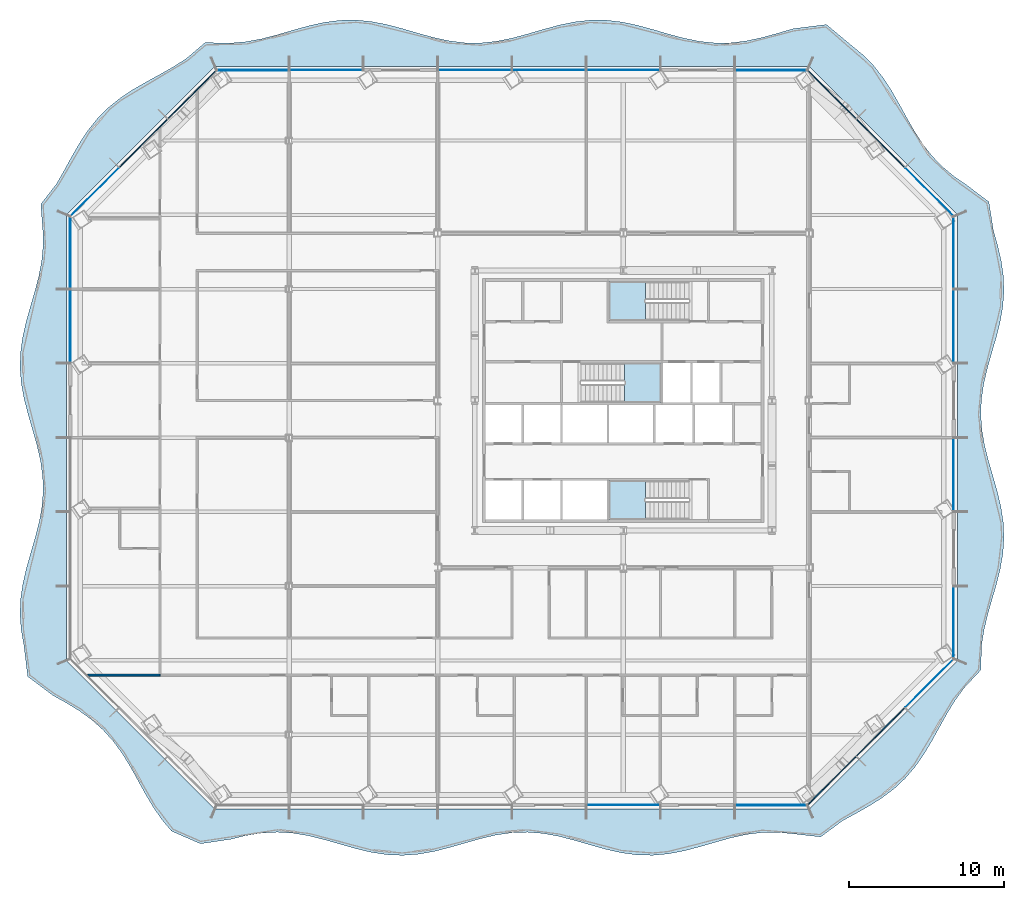
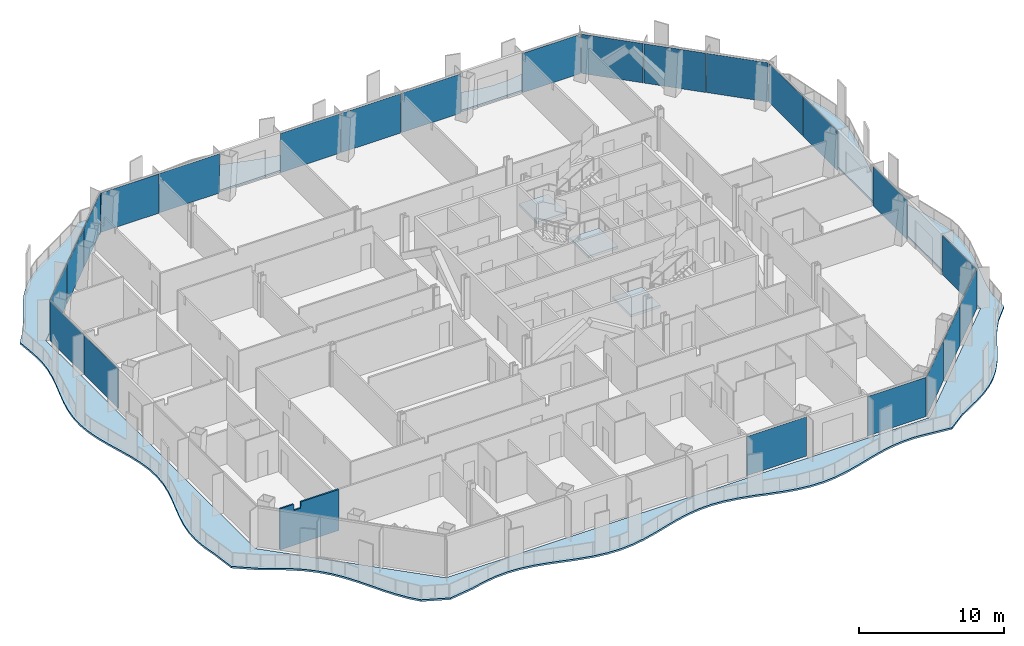
# One storey, part 5 of 20: 23 plates, 4 slabs, 1 wall, 10 elements without a shape of their own.
"""IFC4 building model written with IfcOpenShell, lengths in metres."""

from ifc_helpers import new_model, si_unit, direction, frame, origin, origin_2d, place, context, subcontext, project, spatial, polyline, rectangle, outline, extrude, material, layer, layer_set, type_object, element, aggregate, save


model = new_model("IFC4")

# Units and contexts
model_context = context("Model", 3, precision=1e-05, world=origin(), true_north=direction((0.0, 1.0)))
body_context = subcontext(model_context, "Body", "Model", "MODEL_VIEW")
ifc_project = project(units=[si_unit("LENGTHUNIT", "METRE"), si_unit("AREAUNIT", "SQUARE_METRE"), si_unit("VOLUMEUNIT", "CUBIC_METRE"), si_unit("PLANEANGLEUNIT", "RADIAN"), si_unit("MASSUNIT", "GRAM", prefix="KILO")], contexts=[model_context])

# Site, building, storey
site_placement = place(None, origin())
site = spatial("IfcSite", under=ifc_project, at=site_placement, CompositionType="ELEMENT")
building_placement = place(site_placement, origin())
building = spatial("IfcBuilding", under=site, at=building_placement, Name="Cairn Pilgrim Tower", CompositionType="ELEMENT")
storey_placement = place(building_placement, frame((0.0, 0.0, 87.0)))
storey = spatial("IfcBuildingStorey", under=building, at=storey_placement, Name="L20", CompositionType="ELEMENT", Elevation=87.0)

# Slab
ifc_material_1 = material(Name="Concrete C35/45", Category="concrete")
ifc_layer_1 = layer(ifc_material_1, 0.14990234375)
ifc_layer_set_1 = layer_set([ifc_layer_1], Name="BALCONY SLAB 150 CONCRETE C35/45")
slab_type_1 = type_object("IfcSlabType", Name="BALCONY SLAB 150 CONCRETE C35/45", PredefinedType="FLOOR", material=ifc_layer_set_1)
slab_1_placement = place(storey_placement, frame((0.0, 0.0, -0.14990234375)))
element("IfcSlab", 1, at=slab_1_placement, inside=storey, type_object=slab_type_1, Name="Balcony slab BS-1", PredefinedType="FLOOR", context=body_context, shape_type="SweptSolid", body=[
    extrude(outline(polyline([(-22.004150390625, -25.432861328125), (-20.132080078125, -26.25), (-18.189453125, -25.960205078125), (-17.178955078125, -25.71533203125), (-16.16845703125, -25.553466796875), (-15.157958984375, -25.5), (-14.1474609375, -25.563232421875), (-13.136962890625, -25.73291015625), (-12.126220703125, -25.983154296875), (-11.11572265625, -26.27490234375), (-10.105224609375, -26.5625), (-9.0947265625, -26.8017578125), (-8.084228515625, -26.955322265625), (-7.07373046875, -26.9990234375), (-6.063232421875, -26.926513671875), (-5.052734375, -26.748779296875), (-4.0419921875, -26.493408203125), (-3.031494140625, -26.200439453125), (-2.02099609375, -25.9150390625), (-1.010498046875, -25.681640625), (0.0, -25.53662109375), (1.010498046875, -25.50244140625), (2.02099609375, -25.58447265625), (3.031494140625, -25.77001953125), (4.0419921875, -26.030029296875), (5.052734375, -26.32421875), (6.063232421875, -26.60693359375), (7.07373046875, -26.834228515625), (8.084228515625, -26.970458984375), (9.0947265625, -26.994873046875), (10.105224609375, -26.903564453125), (11.11572265625, -26.710693359375), (12.126220703125, -26.446044921875), (13.136962890625, -26.151123046875), (14.1474609375, -25.871337890625), (15.157958984375, -25.650634765625), (16.16845703125, -25.52294921875), (17.178955078125, -25.50830078125), (18.189453125, -25.60888671875), (19.949462890625, -25.80908203125), (21.3466796875, -24.775390625), (22.23291015625, -24.2900390625), (23.10888671875, -23.794677734375), (23.947509765625, -23.261962890625), (24.72705078125, -22.669921875), (25.43359375, -22.005126953125), (26.064697265625, -21.2646484375), (26.627685546875, -20.456298828125), (27.140625, -19.59765625), (27.6279296875, -18.713623046875), (28.117919921875, -17.832275390625), (28.63916015625, -16.98193359375), (29.21484375, -16.186279296875), (30.300048828125, -15.021240234375), (30.353759765625, -13.406982421875), (30.511962890625, -12.413818359375), (30.7509765625, -11.420654296875), (31.034912109375, -10.427490234375), (31.321044921875, -9.4345703125), (31.566650390625, -8.44140625), (31.734619140625, -7.4482421875), (31.799560546875, -6.455078125), (31.752197265625, -5.462158203125), (31.59912109375, -4.468994140625), (31.36376953125, -3.475830078125), (31.081298828125, -2.482666015625), (30.7939453125, -1.48974609375), (30.545166015625, -0.49658203125), (30.372314453125, 0.49658203125), (30.301025390625, 1.48974609375), (30.34228515625, 2.482666015625), (30.48974609375, 3.475830078125), (30.721435546875, 4.468994140625), (31.00244140625, 5.462158203125), (31.29052734375, 6.455078125), (31.54248046875, 7.4482421875), (31.720703125, 8.44140625), (31.7978515625, 9.4345703125), (31.762939453125, 10.427490234375), (31.620849609375, 11.420654296875), (31.39306640625, 12.413818359375), (31.11376953125, 13.406982421875), (30.824951171875, 15.23876953125), (29.369384765625, 16.3408203125), (28.55517578125, 16.898193359375), (27.8076171875, 17.521728515625), (27.13525390625, 18.220947265625), (26.536376953125, 18.99365234375), (25.998779296875, 19.827392578125), (25.500732421875, 20.70068359375), (25.015869140625, 21.587158203125), (24.514892578125, 22.457763671875), (23.9716796875, 23.2861328125), (23.365966796875, 24.051513671875), (22.685791015625, 24.742919921875), (21.9306640625, 25.359375), (20.319091796875, 26.701904296875), (18.189453125, 26.435546875), (17.178955078125, 26.14013671875), (16.16845703125, 25.862060546875), (15.157958984375, 25.64404296875), (14.1474609375, 25.520263671875), (13.136962890625, 25.510009765625), (12.126220703125, 25.61474609375), (11.11572265625, 25.818115234375), (10.105224609375, 26.088623046875), (9.0947265625, 26.38427734375), (8.084228515625, 26.658935546875), (7.07373046875, 26.8701171875), (6.063232421875, 26.985107421875), (5.052734375, 26.985595703125), (4.0419921875, 26.871826171875), (3.031494140625, 26.661376953125), (2.02099609375, 26.38720703125), (1.010498046875, 26.091552734375), (0.0, 25.820556640625), (-1.010498046875, 25.6162109375), (-2.02099609375, 25.510498046875), (-3.031494140625, 25.519775390625), (-4.0419921875, 25.642333984375), (-5.052734375, 25.859619140625), (-6.063232421875, 26.137451171875), (-7.07373046875, 26.4326171875), (-8.084228515625, 26.69970703125), (-9.0947265625, 26.896728515625), (-10.105224609375, 26.9931640625), (-11.11572265625, 26.974365234375), (-12.126220703125, 26.8427734375), (-13.136962890625, 26.619140625), (-14.1474609375, 26.338134765625), (-15.157958984375, 26.04345703125), (-16.16845703125, 25.78076171875), (-17.178955078125, 25.591064453125), (-18.189453125, 25.50390625), (-19.834716796875, 25.532470703125), (-21.063232421875, 24.49169921875), (-21.90185546875, 23.958984375), (-22.778076171875, 23.463623046875), (-23.6640625, 22.978271484375), (-24.531494140625, 22.474365234375), (-25.354248046875, 21.92578125), (-26.11279296875, 21.312744140625), (-26.79638671875, 20.625), (-27.405517578125, 19.86279296875), (-27.951416015625, 19.037109375), (-28.45361328125, 18.16796875), (-28.938720703125, 17.281494140625), (-29.435302734375, 16.40673828125), (-30.455810546875, 15.085693359375), (-30.326416015625, 13.406982421875), (-30.3056640625, 12.413818359375), (-30.39697265625, 11.420654296875), (-30.586181640625, 10.427490234375), (-30.844970703125, 9.4345703125), (-31.134521484375, 8.44140625), (-31.41162109375, 7.4482421875), (-31.63427734375, 6.455078125), (-31.769287109375, 5.462158203125), (-31.796142578125, 4.468994140625), (-31.7109375, 3.475830078125), (-31.526611328125, 2.482666015625), (-31.2705078125, 1.48974609375), (-30.9814453125, 0.49658203125), (-30.70263671875, -0.49658203125), (-30.47607421875, -1.48974609375), (-30.335693359375, -2.482666015625), (-30.302490234375, -3.475830078125), (-30.381591796875, -4.468994140625), (-30.56103515625, -5.462158203125), (-30.81396484375, -6.455078125), (-31.102294921875, -7.4482421875), (-31.3828125, -8.44140625), (-31.61328125, -9.4345703125), (-31.75927734375, -10.427490234375), (-31.798583984375, -11.420654296875), (-31.7255859375, -12.413818359375), (-31.55126953125, -13.406982421875), (-31.301513671875, -15.43603515625), (-29.6845703125, -16.656005859375), (-28.803466796875, -17.146240234375), (-27.953125, -17.66748046875), (-27.157470703125, -18.2431640625), (-26.43212890625, -18.88916015625), (-25.78271484375, -19.611328125), (-25.2041015625, -20.404052734375), (-24.680908203125, -21.252197265625), (-24.189697265625, -22.132568359375), (-23.703125, -23.017333984375), (-23.19189453125, -23.877685546875), (-22.6318359375, -24.68896484375), (-22.004150390625, -25.432861328125)]), holes=[polyline([(19.199951171875, -24.0), (-19.199951171875, -24.0), (-28.800048828125, -14.39990234375), (-28.800048828125, 14.39990234375), (-19.199951171875, 24.0), (19.199951171875, 24.0), (28.800048828125, 14.39990234375), (28.800048828125, -14.39990234375), (19.199951171875, -24.0)])]), origin(), (0.0, 0.0, 1.0), 0.14990234375),
])

# Curtain wall, plate
ifc_material_2 = material(Name="Aluminium alloy 6063-T6 bronze anodised with Bronze tinted laminated low-E glass 8+16+8.8", Category="aluminium")
curtain_wall_type_1 = type_object("IfcCurtainWallType", Name="CHAMFER CORNER CURTAIN WALL", PredefinedType="NOTDEFINED", material=ifc_material_2)
curtain_wall_1_placement = place(storey_placement, origin())
curtain_wall_1 = element("IfcCurtainWall", 2, at=curtain_wall_1_placement, inside=storey, type_object=curtain_wall_type_1, Name="Chamfer Corner Curtain Wall SE", PredefinedType="NOTDEFINED")
ifc_material_3 = material(Name="Bronze anodised aluminium spandrel panel with mineral wool insulation", Category="aluminium")
ifc_layer_2 = layer(ifc_material_3, 0.06005859375)
ifc_layer_set_2 = layer_set([ifc_layer_2], Name="SPANDREL PANEL 4386x3300")
plate_type_1 = type_object("IfcPlateType", Name="SPANDREL PANEL 4386x3300", PredefinedType="CURTAIN_PANEL", material=ifc_layer_set_2)
plate_1_placement = place(storey_placement, frame((20.675537109375, -22.1708984375, 0.0), z_axis=(0.0, 0.0, 1.0), x_axis=(0.707106781187, 0.707106781187, 0.0)))
plate_1 = element("IfcPlate", 3, at=plate_1_placement, type_object=plate_type_1, Name="Spandrel Panel SE1-1", PredefinedType="CURTAIN_PANEL", context=body_context, shape_type="SweptSolid", body=[
    extrude(rectangle(XDim=4.386474609375, YDim=0.06005859375, at=origin_2d()), origin(), (0.0, 0.0, 1.0), 3.300048828125),
])

curtain_wall_2_placement = place(storey_placement, origin())
curtain_wall_2 = element("IfcCurtainWall", 4, at=curtain_wall_2_placement, inside=storey, type_object=curtain_wall_type_1, Name="Chamfer Corner Curtain Wall NE", PredefinedType="NOTDEFINED")
plate_2_placement = place(storey_placement, frame((20.675537109375, 22.1708984375, 0.0), z_axis=(0.0, 0.0, 1.0), x_axis=(-0.707106781187, 0.707106781187, 0.0)))
plate_2 = element("IfcPlate", 5, at=plate_2_placement, type_object=plate_type_1, Name="Spandrel Panel NE3-1", PredefinedType="CURTAIN_PANEL", context=body_context, shape_type="SweptSolid", body=[
    extrude(rectangle(XDim=4.386474609375, YDim=0.06005859375, at=origin_2d()), origin(), (0.0, 0.0, 1.0), 3.300048828125),
])

curtain_wall_3_placement = place(storey_placement, origin())
curtain_wall_3 = element("IfcCurtainWall", 6, at=curtain_wall_3_placement, inside=storey, type_object=curtain_wall_type_1, Name="Chamfer Corner Curtain Wall NW", PredefinedType="NOTDEFINED")
plate_3_placement = place(storey_placement, frame((-20.675537109375, 22.1708984375, 0.0), z_axis=(0.0, 0.0, 1.0), x_axis=(-0.707106781187, -0.707106781187, 0.0)))
plate_3 = element("IfcPlate", 7, at=plate_3_placement, type_object=plate_type_1, Name="Spandrel Panel NW1-1", PredefinedType="CURTAIN_PANEL", context=body_context, shape_type="SweptSolid", body=[
    extrude(rectangle(XDim=4.386474609375, YDim=0.06005859375, at=origin_2d()), origin(), (0.0, 0.0, 1.0), 3.300048828125),
])

# Plate
ifc_layer_3 = layer(ifc_material_3, 0.06005859375)
ifc_layer_set_3 = layer_set([ifc_layer_3], Name="SPANDREL PANEL 4396x3300")
plate_type_2 = type_object("IfcPlateType", Name="SPANDREL PANEL 4396x3300", PredefinedType="CURTAIN_PANEL", material=ifc_layer_set_3)
plate_4_placement = place(storey_placement, frame((23.8232421875, -19.023193359375, 0.0), z_axis=(0.0, 0.0, 1.0), x_axis=(0.707106781187, 0.707106781187, 0.0)))
plate_4 = element("IfcPlate", 8, at=plate_4_placement, type_object=plate_type_2, Name="Spandrel Panel SE2-1", PredefinedType="CURTAIN_PANEL", context=body_context, shape_type="SweptSolid", body=[
    extrude(rectangle(XDim=4.396484375, YDim=0.06005859375, at=origin_2d()), origin(), (0.0, 0.0, 1.0), 3.300048828125),
])

plate_5_placement = place(storey_placement, frame((23.8232421875, 19.023193359375, 0.0), z_axis=(0.0, 0.0, 1.0), x_axis=(-0.707106781187, 0.707106781187, 0.0)))
plate_5 = element("IfcPlate", 9, at=plate_5_placement, type_object=plate_type_2, Name="Spandrel Panel NE2-1", PredefinedType="CURTAIN_PANEL", context=body_context, shape_type="SweptSolid", body=[
    extrude(rectangle(XDim=4.396484375, YDim=0.06005859375, at=origin_2d()), origin(), (0.0, 0.0, 1.0), 3.300048828125),
])

plate_6_placement = place(storey_placement, frame((-23.8232421875, 19.023193359375, 0.0), z_axis=(0.0, 0.0, 1.0), x_axis=(-0.707106781187, -0.707106781187, 0.0)))
plate_6 = element("IfcPlate", 10, at=plate_6_placement, type_object=plate_type_2, Name="Spandrel Panel NW2-1", PredefinedType="CURTAIN_PANEL", context=body_context, shape_type="SweptSolid", body=[
    extrude(rectangle(XDim=4.396484375, YDim=0.06005859375, at=origin_2d()), origin(), (0.0, 0.0, 1.0), 3.300048828125),
])

# Curtain wall, plate
curtain_wall_type_2 = type_object("IfcCurtainWallType", Name="TOWER STICK CURTAIN WALL NS", PredefinedType="NOTDEFINED", material=ifc_material_2)
curtain_wall_4_placement = place(storey_placement, origin())
curtain_wall_4 = element("IfcCurtainWall", 11, at=curtain_wall_4_placement, inside=storey, type_object=curtain_wall_type_2, Name="Tower Stick Curtain Wall Ns S", PredefinedType="NOTDEFINED")
ifc_layer_4 = layer(ifc_material_3, 0.06005859375)
ifc_layer_set_4 = layer_set([ifc_layer_4], Name="SPANDREL PANEL 4626x3300")
plate_type_3 = type_object("IfcPlateType", Name="SPANDREL PANEL 4626x3300", PredefinedType="CURTAIN_PANEL", material=ifc_layer_set_4)
plate_7_placement = place(storey_placement, frame((16.7431640625, -23.75, 0.0), z_axis=(0.0, 0.0, 1.0), x_axis=(1.0, 0.0, 0.0)))
plate_7 = element("IfcPlate", 12, at=plate_7_placement, type_object=plate_type_3, Name="Spandrel Panel S8-1", PredefinedType="CURTAIN_PANEL", context=body_context, shape_type="SweptSolid", body=[
    extrude(rectangle(XDim=4.62646484375, YDim=0.06005859375, at=origin_2d()), origin(), (0.0, 0.0, 1.0), 3.300048828125),
])

# Curtain wall, plates
curtain_wall_5_placement = place(storey_placement, origin())
curtain_wall_5 = element("IfcCurtainWall", 13, at=curtain_wall_5_placement, inside=storey, type_object=curtain_wall_type_2, Name="Tower Stick Curtain Wall Ns N", PredefinedType="NOTDEFINED")
plate_8_placement = place(storey_placement, frame((16.7431640625, 23.75, 0.0), z_axis=(0.0, 0.0, 1.0), x_axis=(-1.0, 0.0, 0.0)))
plate_8 = element("IfcPlate", 14, at=plate_8_placement, type_object=plate_type_3, Name="Spandrel Panel N1-1", PredefinedType="CURTAIN_PANEL", context=body_context, shape_type="SweptSolid", body=[
    extrude(rectangle(XDim=4.62646484375, YDim=0.06005859375, at=origin_2d()), origin(), (0.0, 0.0, 1.0), 3.300048828125),
])
plate_9_placement = place(storey_placement, frame((-16.7431640625, 23.75, 0.0), z_axis=(0.0, 0.0, 1.0), x_axis=(-1.0, 0.0, 0.0)))
plate_9 = element("IfcPlate", 15, at=plate_9_placement, type_object=plate_type_3, Name="Spandrel Panel N8-1", PredefinedType="CURTAIN_PANEL", context=body_context, shape_type="SweptSolid", body=[
    extrude(rectangle(XDim=4.62646484375, YDim=0.06005859375, at=origin_2d()), origin(), (0.0, 0.0, 1.0), 3.300048828125),
])

# Stair, slab
ifc_material_4 = material(Name="Concrete C32/40", Category="concrete")
stair_type = type_object("IfcStairType", Name="EXIT STAIR 1200", PredefinedType="HALF_TURN_STAIR", material=ifc_material_4)
stair_1_placement = place(storey_placement, origin())
stair_1 = element("IfcStair", 16, at=stair_1_placement, inside=storey, type_object=stair_type, Name="L20 Exit Stair A", PredefinedType="HALF_TURN_STAIR")
ifc_layer_5 = layer(ifc_material_4, 0.199951171875)
ifc_layer_set_5 = layer_set([ifc_layer_5], Name="STAIR LANDING 200")
slab_type_2 = type_object("IfcSlabType", Name="STAIR LANDING 200", PredefinedType="LANDING", material=ifc_layer_set_5)
slab_2_placement = place(storey_placement, frame((0.0, 0.0, 1.60009765625)))
slab_2 = element("IfcSlab", 17, at=slab_2_placement, type_object=slab_type_2, Name="ST-A landing 1", PredefinedType="LANDING", context=body_context, shape_type="SweptSolid", body=[
    extrude(outline(polyline([(8.625, -2.77490234375), (6.27490234375, -2.77490234375), (6.27490234375, -5.300048828125), (8.625, -5.300048828125), (8.625, -2.77490234375)])), origin(), (0.0, 0.0, 1.0), 0.199951171875),
])
aggregate(stair_1, [slab_2])

stair_2_placement = place(storey_placement, origin())
stair_2 = element("IfcStair", 18, at=stair_2_placement, inside=storey, type_object=stair_type, Name="L20 Exit Stair B", PredefinedType="HALF_TURN_STAIR")
slab_3_placement = place(storey_placement, frame((0.0, 0.0, 1.60009765625)))
slab_3 = element("IfcSlab", 19, at=slab_3_placement, type_object=slab_type_2, Name="ST-B landing 1", PredefinedType="LANDING", context=body_context, shape_type="SweptSolid", body=[
    extrude(outline(polyline([(7.27490234375, 2.27490234375), (9.625, 2.27490234375), (9.625, 4.824951171875), (7.27490234375, 4.824951171875), (7.27490234375, 2.27490234375)])), origin(), (0.0, 0.0, 1.0), 0.199951171875),
])
aggregate(stair_2, [slab_3])

stair_3_placement = place(storey_placement, origin())
stair_3 = element("IfcStair", 20, at=stair_3_placement, inside=storey, type_object=stair_type, Name="L20 Exit Stair C", PredefinedType="HALF_TURN_STAIR")
slab_4_placement = place(storey_placement, frame((0.0, 0.0, 1.60009765625)))
slab_4 = element("IfcSlab", 21, at=slab_4_placement, type_object=slab_type_2, Name="ST-C landing 1", PredefinedType="LANDING", context=body_context, shape_type="SweptSolid", body=[
    extrude(outline(polyline([(8.625, 10.10009765625), (6.27490234375, 10.10009765625), (6.27490234375, 7.574951171875), (8.625, 7.574951171875), (8.625, 10.10009765625)])), origin(), (0.0, 0.0, 1.0), 0.199951171875),
])
aggregate(stair_3, [slab_4])

# Plate
ifc_material_5 = material(Name="Bronze tinted laminated low-E glass 8+16+8.8", Category="glass")
ifc_layer_6 = layer(ifc_material_5, 0.033935546875)
ifc_layer_set_6 = layer_set([ifc_layer_6], Name="VISION GLAZING 4386x3300")
plate_type_4 = type_object("IfcPlateType", Name="VISION GLAZING 4386x3300", PredefinedType="CURTAIN_PANEL", material=ifc_layer_set_6)
plate_10_placement = place(storey_placement, frame((26.970947265625, -15.87548828125, 0.0), z_axis=(0.0, 0.0, 1.0), x_axis=(0.707106781187, 0.707106781187, 0.0)))
plate_10 = element("IfcPlate", 22, at=plate_10_placement, type_object=plate_type_4, Name="Vision Glazing SE3-1", PredefinedType="CURTAIN_PANEL", context=body_context, shape_type="SweptSolid", body=[
    extrude(rectangle(XDim=4.386474609375, YDim=0.033935546875, at=origin_2d()), origin(), (0.0, 0.0, 1.0), 3.300048828125),
])

aggregate(curtain_wall_1, [plate_1, plate_4, plate_10])

plate_11_placement = place(storey_placement, frame((26.970947265625, 15.87548828125, 0.0), z_axis=(0.0, 0.0, 1.0), x_axis=(-0.707106781187, 0.707106781187, 0.0)))
plate_11 = element("IfcPlate", 23, at=plate_11_placement, type_object=plate_type_4, Name="Vision Glazing NE1-1", PredefinedType="CURTAIN_PANEL", context=body_context, shape_type="SweptSolid", body=[
    extrude(rectangle(XDim=4.386474609375, YDim=0.033935546875, at=origin_2d()), origin(), (0.0, 0.0, 1.0), 3.300048828125),
])

aggregate(curtain_wall_2, [plate_11, plate_5, plate_2])

plate_12_placement = place(storey_placement, frame((-26.970947265625, 15.87548828125, 0.0), z_axis=(0.0, 0.0, 1.0), x_axis=(-0.707106781187, -0.707106781187, 0.0)))
plate_12 = element("IfcPlate", 24, at=plate_12_placement, type_object=plate_type_4, Name="Vision Glazing NW3-1", PredefinedType="CURTAIN_PANEL", context=body_context, shape_type="SweptSolid", body=[
    extrude(rectangle(XDim=4.386474609375, YDim=0.033935546875, at=origin_2d()), origin(), (0.0, 0.0, 1.0), 3.300048828125),
])

aggregate(curtain_wall_3, [plate_3, plate_6, plate_12])

# Curtain wall, plates
curtain_wall_type_3 = type_object("IfcCurtainWallType", Name="TOWER STICK CURTAIN WALL EW", PredefinedType="NOTDEFINED", material=ifc_material_2)
curtain_wall_6_placement = place(storey_placement, origin())
curtain_wall_6 = element("IfcCurtainWall", 25, at=curtain_wall_6_placement, inside=storey, type_object=curtain_wall_type_3, Name="Tower Stick Curtain Wall Ew E", PredefinedType="NOTDEFINED")
ifc_layer_7 = layer(ifc_material_5, 0.033935546875)
ifc_layer_set_7 = layer_set([ifc_layer_7], Name="VISION GLAZING 4626x3300")
plate_type_5 = type_object("IfcPlateType", Name="VISION GLAZING 4626x3300", PredefinedType="CURTAIN_PANEL", material=ifc_layer_set_7)
plate_13_placement = place(storey_placement, frame((28.550048828125, -11.943115234375, 0.0), z_axis=(0.0, 0.0, 1.0), x_axis=(0.0, 1.0, 0.0)))
plate_13 = element("IfcPlate", 26, at=plate_13_placement, type_object=plate_type_5, Name="Vision Glazing E1-1", PredefinedType="CURTAIN_PANEL", context=body_context, shape_type="SweptSolid", body=[
    extrude(rectangle(XDim=4.62646484375, YDim=0.033935546875, at=origin_2d()), origin(), (0.0, 0.0, 1.0), 3.300048828125),
])
plate_14_placement = place(storey_placement, frame((28.550048828125, 11.943115234375, 0.0), z_axis=(0.0, 0.0, 1.0), x_axis=(0.0, 1.0, 0.0)))
plate_14 = element("IfcPlate", 27, at=plate_14_placement, type_object=plate_type_5, Name="Vision Glazing E6-1", PredefinedType="CURTAIN_PANEL", context=body_context, shape_type="SweptSolid", body=[
    extrude(rectangle(XDim=4.62646484375, YDim=0.033935546875, at=origin_2d()), origin(), (0.0, 0.0, 1.0), 3.300048828125),
])

# Curtain wall, plate
curtain_wall_7_placement = place(storey_placement, origin())
curtain_wall_7 = element("IfcCurtainWall", 28, at=curtain_wall_7_placement, inside=storey, type_object=curtain_wall_type_3, Name="Tower Stick Curtain Wall Ew W", PredefinedType="NOTDEFINED")
plate_15_placement = place(storey_placement, frame((-28.550048828125, 11.943115234375, 0.0), z_axis=(0.0, 0.0, 1.0), x_axis=(0.0, -1.0, 0.0)))
plate_15 = element("IfcPlate", 29, at=plate_15_placement, type_object=plate_type_5, Name="Vision Glazing W1-1", PredefinedType="CURTAIN_PANEL", context=body_context, shape_type="SweptSolid", body=[
    extrude(rectangle(XDim=4.62646484375, YDim=0.033935546875, at=origin_2d()), origin(), (0.0, 0.0, 1.0), 3.300048828125),
])

# Plate
ifc_layer_8 = layer(ifc_material_5, 0.033935546875)
ifc_layer_set_8 = layer_set([ifc_layer_8], Name="VISION GLAZING 4740x3300")
plate_type_6 = type_object("IfcPlateType", Name="VISION GLAZING 4740x3300", PredefinedType="CURTAIN_PANEL", material=ifc_layer_set_8)
plate_16_placement = place(storey_placement, frame((7.199951171875, -23.75, 0.0), z_axis=(0.0, 0.0, 1.0), x_axis=(1.0, 0.0, 0.0)))
plate_16 = element("IfcPlate", 30, at=plate_16_placement, type_object=plate_type_6, Name="Vision Glazing S6-1", PredefinedType="CURTAIN_PANEL", context=body_context, shape_type="SweptSolid", body=[
    extrude(rectangle(XDim=4.739990234375, YDim=0.033935546875, at=origin_2d()), origin(), (0.0, 0.0, 1.0), 3.300048828125),
])

aggregate(curtain_wall_4, [plate_16, plate_7])

plate_17_placement = place(storey_placement, frame((28.550048828125, -2.39990234375, 0.0), z_axis=(0.0, 0.0, 1.0), x_axis=(0.0, 1.0, 0.0)))
plate_17 = element("IfcPlate", 31, at=plate_17_placement, type_object=plate_type_6, Name="Vision Glazing E3-1", PredefinedType="CURTAIN_PANEL", context=body_context, shape_type="SweptSolid", body=[
    extrude(rectangle(XDim=4.739990234375, YDim=0.033935546875, at=origin_2d()), origin(), (0.0, 0.0, 1.0), 3.300048828125),
])

plate_18_placement = place(storey_placement, frame((28.550048828125, 7.199951171875, 0.0), z_axis=(0.0, 0.0, 1.0), x_axis=(0.0, 1.0, 0.0)))
plate_18 = element("IfcPlate", 32, at=plate_18_placement, type_object=plate_type_6, Name="Vision Glazing E5-1", PredefinedType="CURTAIN_PANEL", context=body_context, shape_type="SweptSolid", body=[
    extrude(rectangle(XDim=4.739990234375, YDim=0.033935546875, at=origin_2d()), origin(), (0.0, 0.0, 1.0), 3.300048828125),
])

aggregate(curtain_wall_6, [plate_13, plate_17, plate_18, plate_14])

plate_19_placement = place(storey_placement, frame((7.199951171875, 23.75, 0.0), z_axis=(0.0, 0.0, 1.0), x_axis=(-1.0, 0.0, 0.0)))
plate_19 = element("IfcPlate", 33, at=plate_19_placement, type_object=plate_type_6, Name="Vision Glazing N3-1", PredefinedType="CURTAIN_PANEL", context=body_context, shape_type="SweptSolid", body=[
    extrude(rectangle(XDim=4.739990234375, YDim=0.033935546875, at=origin_2d()), origin(), (0.0, 0.0, 1.0), 3.300048828125),
])

plate_20_placement = place(storey_placement, frame((2.39990234375, 23.75, 0.0), z_axis=(0.0, 0.0, 1.0), x_axis=(-1.0, 0.0, 0.0)))
plate_20 = element("IfcPlate", 34, at=plate_20_placement, type_object=plate_type_6, Name="Vision Glazing N4-1", PredefinedType="CURTAIN_PANEL", context=body_context, shape_type="SweptSolid", body=[
    extrude(rectangle(XDim=4.739990234375, YDim=0.033935546875, at=origin_2d()), origin(), (0.0, 0.0, 1.0), 3.300048828125),
])

plate_21_placement = place(storey_placement, frame((-2.39990234375, 23.75, 0.0), z_axis=(0.0, 0.0, 1.0), x_axis=(-1.0, 0.0, 0.0)))
plate_21 = element("IfcPlate", 35, at=plate_21_placement, type_object=plate_type_6, Name="Vision Glazing N5-1", PredefinedType="CURTAIN_PANEL", context=body_context, shape_type="SweptSolid", body=[
    extrude(rectangle(XDim=4.739990234375, YDim=0.033935546875, at=origin_2d()), origin(), (0.0, 0.0, 1.0), 3.300048828125),
])

plate_22_placement = place(storey_placement, frame((-12.0, 23.75, 0.0), z_axis=(0.0, 0.0, 1.0), x_axis=(-1.0, 0.0, 0.0)))
plate_22 = element("IfcPlate", 36, at=plate_22_placement, type_object=plate_type_6, Name="Vision Glazing N7-1", PredefinedType="CURTAIN_PANEL", context=body_context, shape_type="SweptSolid", body=[
    extrude(rectangle(XDim=4.739990234375, YDim=0.033935546875, at=origin_2d()), origin(), (0.0, 0.0, 1.0), 3.300048828125),
])

aggregate(curtain_wall_5, [plate_8, plate_19, plate_20, plate_21, plate_22, plate_9])

plate_23_placement = place(storey_placement, frame((-28.550048828125, 7.199951171875, 0.0), z_axis=(0.0, 0.0, 1.0), x_axis=(0.0, -1.0, 0.0)))
plate_23 = element("IfcPlate", 37, at=plate_23_placement, type_object=plate_type_6, Name="Vision Glazing W2-1", PredefinedType="CURTAIN_PANEL", context=body_context, shape_type="SweptSolid", body=[
    extrude(rectangle(XDim=4.739990234375, YDim=0.033935546875, at=origin_2d()), origin(), (0.0, 0.0, 1.0), 3.300048828125),
])

aggregate(curtain_wall_7, [plate_15, plate_23])

# Wall
ifc_material_6 = material(Name="Gypsum partition")
ifc_layer_9 = layer(ifc_material_6, 0.125)
ifc_layer_set_9 = layer_set([ifc_layer_9], Name="PARTITION 125 DRYWALL EI 60")
wall_type = type_object("IfcWallType", Name="PARTITION 125 DRYWALL EI 60", PredefinedType="PARTITIONING", material=ifc_layer_set_9)
wall_placement = place(storey_placement, frame((-27.406982421875, -15.35009765625, 0.0), z_axis=(0.0, 0.0, 1.0), x_axis=(1.0, 0.0, 0.0)))
element("IfcWall", 38, at=wall_placement, inside=storey, type_object=wall_type, Name="PARTITION W024", PredefinedType="PARTITIONING", context=body_context, shape_type="SweptSolid", body=[
    extrude(outline(polyline([(0.0, 0.0), (4.656982421875, 0.0), (4.656982421875, 3.449951171875), (1.638427734375, 3.449951171875), (1.636474609375, 2.929931640625), (1.089111328125, 2.929931640625), (1.087158203125, 3.449951171875), (0.0, 3.449951171875), (0.0, 0.0)])), frame((0.0, 0.0625, 0.0), z_axis=(0.0, -1.0, 0.0), x_axis=(1.0, 0.0, 0.0)), (0.0, 0.0, 1.0), 0.125),
])

save(model, "model.ifc")
